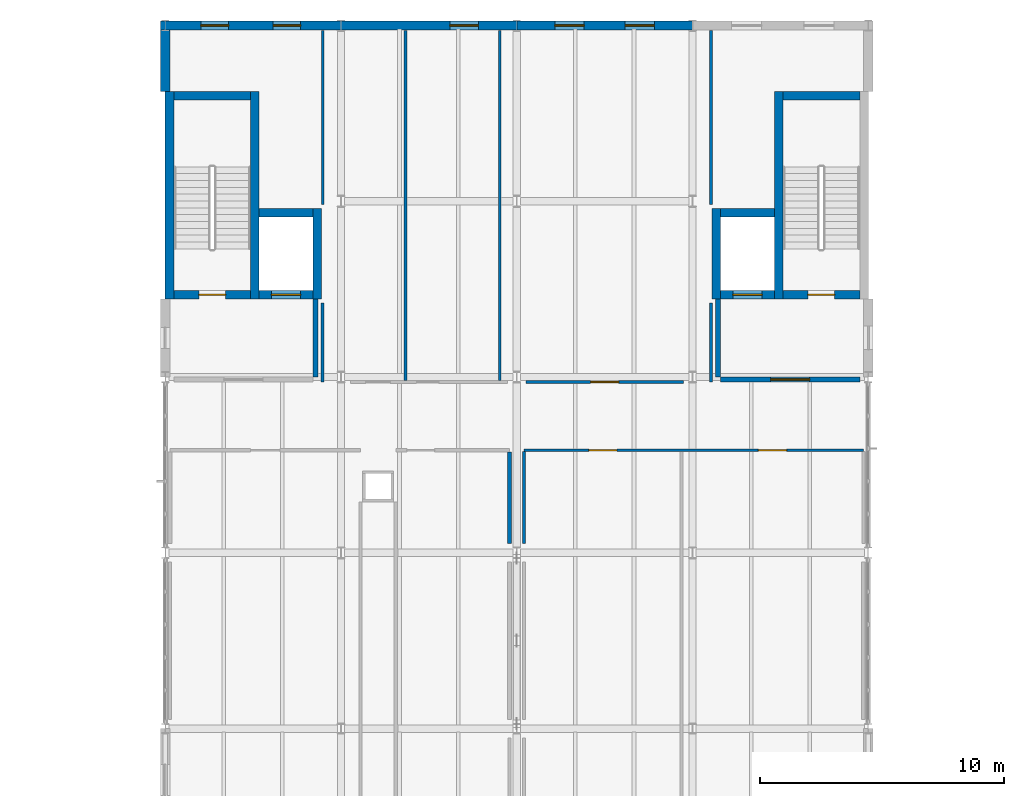
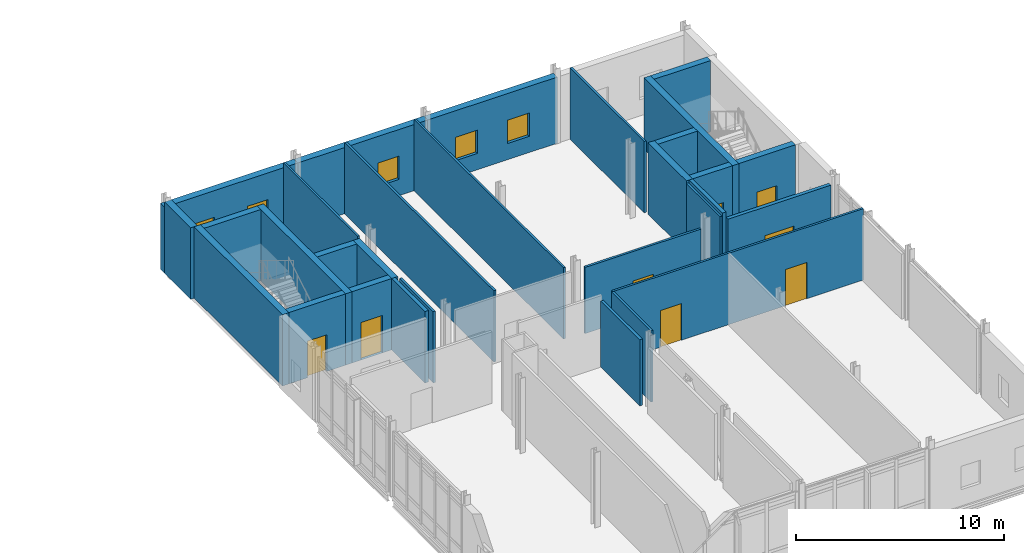
# One storey, part 61 of 76: 30 walls, 8 doors, 5 windows, 13 openings.
"""IFC4 building model written with IfcOpenShell, lengths in metres."""

from ifc_helpers import new_model, si_unit, direction, frame, frame_2d, origin, place, context, subcontext, project, spatial, rectangle, extrude, material, layer, layer_set, type_object, element, fill, save


model = new_model("IFC4")

# Units and contexts
model_context = context("Model", 3, precision=1e-05, world=origin(), true_north=direction((0.0, 1.0)))
body_context = subcontext(model_context, "Body", "Model", "MODEL_VIEW")
ifc_project = project(units=[si_unit("LENGTHUNIT", "METRE"), si_unit("AREAUNIT", "SQUARE_METRE"), si_unit("VOLUMEUNIT", "CUBIC_METRE"), si_unit("PLANEANGLEUNIT", "RADIAN"), si_unit("MASSUNIT", "GRAM", prefix="KILO")], contexts=[model_context])

# Site, building, storey
site_placement = place(None, origin())
site = spatial("IfcSite", under=ifc_project, at=site_placement, CompositionType="ELEMENT")
building_placement = place(site_placement, origin())
building = spatial("IfcBuilding", under=site, at=building_placement, Name="Zarrinpeak Specialist Clinic", CompositionType="ELEMENT")
storey_placement = place(building_placement, frame((0.0, 0.0, 5.199951171875)))
storey = spatial("IfcBuildingStorey", under=building, at=storey_placement, Name="L01", CompositionType="ELEMENT", Elevation=5.199951171875)

# Wall, opening, door
ifc_material_1 = material(Name="Concrete C40/50", Category="concrete")
ifc_layer_1 = layer(ifc_material_1, 0.35009765625)
ifc_layer_set_1 = layer_set([ifc_layer_1], Name="Concrete C40/50")
wall_type_1 = type_object("IfcWallType", Name="WL-CR350", PredefinedType="SHEAR", material=ifc_layer_set_1)
wall_1_placement = place(storey_placement, frame((36.35009765625, 106.97509765625, 0.0), z_axis=(0.0, 0.0, 1.0), x_axis=(1.0, 0.0, 0.0)))
wall_1 = element("IfcWall", 1, at=wall_1_placement, inside=storey, type_object=wall_type_1, Name="L01 Core C11 Shear Wall STS", PredefinedType="SHEAR", context=body_context, shape_type="SweptSolid", body=[
    extrude(rectangle(XDim=3.14990234375, YDim=0.35009765625, at=frame_2d((1.574951171875, 0.0))), origin(), (0.0, 0.0, 1.0), 4.18505859375),
])
opening_1_placement = place(wall_1_placement, frame((1.02490234375, 0.0, 0.0)))
opening_1 = element("IfcOpeningElement", 2, at=opening_1_placement, cuts=wall_1, Name="Opening D-S02", PredefinedType="OPENING", context=body_context, shape_type="SweptSolid", body=[
    extrude(rectangle(XDim=1.10009765625, YDim=2.14990234375, at=frame_2d((0.550048828125, 1.074951171875))), frame((0.0, 0.18505859375, 0.0), z_axis=(0.0, -1.0, 0.0), x_axis=(1.0, 0.0, 0.0)), (0.0, 0.0, 1.0), 0.3701171875),
])
ifc_material_2 = material(Name="Powder-Coated Galvanised Steel", Category="steel")
door_type_1 = type_object("IfcDoorType", Name="DR-FD110", OperationType="SINGLE_SWING_RIGHT", PredefinedType="DOOR", material=ifc_material_2)
door_1_placement = place(opening_1_placement, origin())
door_1 = element("IfcDoor", 3, at=door_1_placement, inside=storey, type_object=door_type_1, Name="L01 Protected Stair ST-11 Fire Door", OperationType="SINGLE_SWING_RIGHT", OverallHeight=2.14990234375, OverallWidth=1.10009765625, PredefinedType="DOOR", context=body_context, shape_type="SweptSolid", body=[
    extrude(rectangle(XDim=1.10009765625, YDim=2.14990234375, at=frame_2d((0.550048828125, 1.074951171875))), frame((0.0, 0.02490234375, 0.0), z_axis=(0.0, -1.0, 0.0), x_axis=(1.0, 0.0, 0.0)), (0.0, 0.0, 1.0), 0.050048828125),
])
fill(opening_1, door_1)

# Walls
wall_2_placement = place(storey_placement, frame((36.35009765625, 115.125, 0.0), z_axis=(0.0, 0.0, 1.0), x_axis=(1.0, 0.0, 0.0)))
element("IfcWall", 4, at=wall_2_placement, inside=storey, type_object=wall_type_1, Name="L01 Core C11 Shear Wall STN", PredefinedType="SHEAR", context=body_context, shape_type="SweptSolid", body=[
    extrude(rectangle(XDim=3.14990234375, YDim=0.35009765625, at=frame_2d((1.574951171875, 0.0))), origin(), (0.0, 0.0, 1.0), 4.18505859375),
])
for number, where, z_axis, x_axis, name in (
    (5, (36.175048828125, 106.800048828125, 0.0), (0.0, 0.0, 1.0), (0.0, 1.0, 0.0), "L01 Core C11 Shear Wall STW"),
    (6, (39.675048828125, 106.800048828125, 0.0), (0.0, 0.0, 1.0), (0.0, 1.0, 0.0), "L01 Core C11 Shear Wall STE"),
):
    element("IfcWall", number, at=place(storey_placement, frame(where, z_axis=z_axis, x_axis=x_axis)), inside=storey, type_object=wall_type_1, Name=name, PredefinedType="SHEAR", context=body_context, shape_type="SweptSolid", body=[
        extrude(rectangle(XDim=8.5, YDim=0.35009765625, at=frame_2d((4.25, 0.0))), origin(), (0.0, 0.0, 1.0), 4.18505859375),
    ])

# Wall, opening, door
wall_3_placement = place(storey_placement, frame((39.85009765625, 106.97509765625, 0.0), z_axis=(0.0, 0.0, 1.0), x_axis=(1.0, 0.0, 0.0)))
wall_3 = element("IfcWall", 7, at=wall_3_placement, inside=storey, type_object=wall_type_1, Name="L01 Lift LF-P1 Shaft Wall LFS", PredefinedType="SHEAR", context=body_context, shape_type="SweptSolid", body=[
    extrude(rectangle(XDim=2.199951171875, YDim=0.35009765625, at=frame_2d((1.10009765625, 0.0))), origin(), (0.0, 0.0, 1.0), 4.18505859375),
])
opening_2_placement = place(wall_3_placement, frame((0.5, 0.0, 0.0)))
opening_2 = element("IfcOpeningElement", 8, at=opening_2_placement, cuts=wall_3, Name="Opening LD-02", PredefinedType="OPENING", context=body_context, shape_type="SweptSolid", body=[
    extrude(rectangle(XDim=1.199951171875, YDim=2.199951171875, at=frame_2d((0.60009765625, 1.10009765625))), frame((0.0, 0.18505859375, 0.0), z_axis=(0.0, -1.0, 0.0), x_axis=(1.0, 0.0, 0.0)), (0.0, 0.0, 1.0), 0.3701171875),
])
door_type_2 = type_object("IfcDoorType", Name="DR-LD120", OperationType="SLIDING_TO_RIGHT", PredefinedType="DOOR", material=ifc_material_2)
door_2_placement = place(opening_2_placement, origin())
door_2 = element("IfcDoor", 9, at=door_2_placement, inside=storey, type_object=door_type_2, Name="L01 Lift LF-P1 Sliding Landing Door", OperationType="SLIDING_TO_RIGHT", OverallHeight=2.199951171875, OverallWidth=1.199951171875, PredefinedType="DOOR", context=body_context, shape_type="SweptSolid", body=[
    extrude(rectangle(XDim=1.199951171875, YDim=2.199951171875, at=frame_2d((0.60009765625, 1.10009765625))), frame((0.0, 0.02490234375, 0.0), z_axis=(0.0, -1.0, 0.0), x_axis=(1.0, 0.0, 0.0)), (0.0, 0.0, 1.0), 0.050048828125),
])
fill(opening_2, door_2)

# Walls
wall_4_placement = place(storey_placement, frame((39.85009765625, 110.324951171875, 0.0), z_axis=(0.0, 0.0, 1.0), x_axis=(1.0, 0.0, 0.0)))
element("IfcWall", 10, at=wall_4_placement, inside=storey, type_object=wall_type_1, Name="L01 Lift LF-P1 Shaft Wall LFN", PredefinedType="SHEAR", context=body_context, shape_type="SweptSolid", body=[
    extrude(rectangle(XDim=2.199951171875, YDim=0.35009765625, at=frame_2d((1.10009765625, 0.0))), origin(), (0.0, 0.0, 1.0), 4.18505859375),
])
wall_5_placement = place(storey_placement, frame((42.22509765625, 106.800048828125, 0.0), z_axis=(0.0, 0.0, 1.0), x_axis=(0.0, 1.0, 0.0)))
element("IfcWall", 11, at=wall_5_placement, inside=storey, type_object=wall_type_1, Name="L01 Lift LF-P1 Shaft Wall LFE", PredefinedType="SHEAR", context=body_context, shape_type="SweptSolid", body=[
    extrude(rectangle(XDim=3.699951171875, YDim=0.35009765625, at=frame_2d((1.85009765625, 0.0))), origin(), (0.0, 0.0, 1.0), 4.18505859375),
])

# Wall, opening, door
wall_6_placement = place(storey_placement, frame((61.300048828125, 106.97509765625, 0.0), z_axis=(0.0, 0.0, 1.0), x_axis=(1.0, 0.0, 0.0)))
wall_6 = element("IfcWall", 12, at=wall_6_placement, inside=storey, type_object=wall_type_1, Name="L01 Core C12 Shear Wall STS", PredefinedType="SHEAR", context=body_context, shape_type="SweptSolid", body=[
    extrude(rectangle(XDim=3.14990234375, YDim=0.35009765625, at=frame_2d((1.574951171875, 0.0))), origin(), (0.0, 0.0, 1.0), 4.18505859375),
])
opening_3_placement = place(wall_6_placement, frame((1.02490234375, 0.0, 0.0)))
opening_3 = element("IfcOpeningElement", 13, at=opening_3_placement, cuts=wall_6, Name="Opening D-S02", PredefinedType="OPENING", context=body_context, shape_type="SweptSolid", body=[
    extrude(rectangle(XDim=1.10009765625, YDim=2.14990234375, at=frame_2d((0.550048828125, 1.074951171875))), frame((0.0, 0.18505859375, 0.0), z_axis=(0.0, -1.0, 0.0), x_axis=(1.0, 0.0, 0.0)), (0.0, 0.0, 1.0), 0.3701171875),
])
door_3_placement = place(opening_3_placement, origin())
door_3 = element("IfcDoor", 14, at=door_3_placement, inside=storey, type_object=door_type_1, Name="L01 Protected Stair ST-12 Fire Door", OperationType="SINGLE_SWING_RIGHT", OverallHeight=2.14990234375, OverallWidth=1.10009765625, PredefinedType="DOOR", context=body_context, shape_type="SweptSolid", body=[
    extrude(rectangle(XDim=1.10009765625, YDim=2.14990234375, at=frame_2d((0.550048828125, 1.074951171875))), frame((0.0, 0.02490234375, 0.0), z_axis=(0.0, -1.0, 0.0), x_axis=(1.0, 0.0, 0.0)), (0.0, 0.0, 1.0), 0.050048828125),
])
fill(opening_3, door_3)

# Walls
wall_7_placement = place(storey_placement, frame((61.300048828125, 115.125, 0.0), z_axis=(0.0, 0.0, 1.0), x_axis=(1.0, 0.0, 0.0)))
element("IfcWall", 15, at=wall_7_placement, inside=storey, type_object=wall_type_1, Name="L01 Core C12 Shear Wall STN", PredefinedType="SHEAR", context=body_context, shape_type="SweptSolid", body=[
    extrude(rectangle(XDim=3.14990234375, YDim=0.35009765625, at=frame_2d((1.574951171875, 0.0))), origin(), (0.0, 0.0, 1.0), 4.18505859375),
])
wall_8_placement = place(storey_placement, frame((61.125, 106.800048828125, 0.0), z_axis=(0.0, 0.0, 1.0), x_axis=(0.0, 1.0, 0.0)))
element("IfcWall", 16, at=wall_8_placement, inside=storey, type_object=wall_type_1, Name="L01 Core C12 Shear Wall STW", PredefinedType="SHEAR", context=body_context, shape_type="SweptSolid", body=[
    extrude(rectangle(XDim=8.5, YDim=0.35009765625, at=frame_2d((4.25, 0.0))), origin(), (0.0, 0.0, 1.0), 4.18505859375),
])

# Wall, opening, door
wall_9_placement = place(storey_placement, frame((58.75, 106.97509765625, 0.0), z_axis=(0.0, 0.0, 1.0), x_axis=(1.0, 0.0, 0.0)))
wall_9 = element("IfcWall", 17, at=wall_9_placement, inside=storey, type_object=wall_type_1, Name="L01 Lift LF-P6 Shaft Wall LFS", PredefinedType="SHEAR", context=body_context, shape_type="SweptSolid", body=[
    extrude(rectangle(XDim=2.199951171875, YDim=0.35009765625, at=frame_2d((1.10009765625, 0.0))), origin(), (0.0, 0.0, 1.0), 4.18505859375),
])
opening_4_placement = place(wall_9_placement, frame((0.5, 0.0, 0.0)))
opening_4 = element("IfcOpeningElement", 18, at=opening_4_placement, cuts=wall_9, Name="Opening LD-02", PredefinedType="OPENING", context=body_context, shape_type="SweptSolid", body=[
    extrude(rectangle(XDim=1.199951171875, YDim=2.199951171875, at=frame_2d((0.60009765625, 1.10009765625))), frame((0.0, 0.18505859375, 0.0), z_axis=(0.0, -1.0, 0.0), x_axis=(1.0, 0.0, 0.0)), (0.0, 0.0, 1.0), 0.3701171875),
])
door_4_placement = place(opening_4_placement, origin())
door_4 = element("IfcDoor", 19, at=door_4_placement, inside=storey, type_object=door_type_2, Name="L01 Lift LF-P6 Sliding Landing Door", OperationType="SLIDING_TO_RIGHT", OverallHeight=2.199951171875, OverallWidth=1.199951171875, PredefinedType="DOOR", context=body_context, shape_type="SweptSolid", body=[
    extrude(rectangle(XDim=1.199951171875, YDim=2.199951171875, at=frame_2d((0.60009765625, 1.10009765625))), frame((0.0, 0.02490234375, 0.0), z_axis=(0.0, -1.0, 0.0), x_axis=(1.0, 0.0, 0.0)), (0.0, 0.0, 1.0), 0.050048828125),
])
fill(opening_4, door_4)

# Walls
wall_10_placement = place(storey_placement, frame((58.75, 110.324951171875, 0.0), z_axis=(0.0, 0.0, 1.0), x_axis=(1.0, 0.0, 0.0)))
element("IfcWall", 20, at=wall_10_placement, inside=storey, type_object=wall_type_1, Name="L01 Lift LF-P6 Shaft Wall LFN", PredefinedType="SHEAR", context=body_context, shape_type="SweptSolid", body=[
    extrude(rectangle(XDim=2.199951171875, YDim=0.35009765625, at=frame_2d((1.10009765625, 0.0))), origin(), (0.0, 0.0, 1.0), 4.18505859375),
])
wall_11_placement = place(storey_placement, frame((58.574951171875, 106.800048828125, 0.0), z_axis=(0.0, 0.0, 1.0), x_axis=(0.0, 1.0, 0.0)))
element("IfcWall", 21, at=wall_11_placement, inside=storey, type_object=wall_type_1, Name="L01 Lift LF-P6 Shaft Wall LFW", PredefinedType="SHEAR", context=body_context, shape_type="SweptSolid", body=[
    extrude(rectangle(XDim=3.699951171875, YDim=0.35009765625, at=frame_2d((1.85009765625, 0.0))), origin(), (0.0, 0.0, 1.0), 4.18505859375),
])

# Wall, openings, windows
ifc_material_3 = material(Name="Precast concrete C40/50", Category="concrete")
ifc_layer_2 = layer(ifc_material_3, 0.3798828125)
ifc_layer_set_2 = layer_set([ifc_layer_2], Name="Precast concrete C40/50")
wall_type_2 = type_object("IfcWallType", Name="WL-EW380", PredefinedType="STANDARD", material=ifc_layer_set_2)
wall_12_placement = place(storey_placement, frame((43.199951171875, 118.0, 0.0), z_axis=(0.0, 0.0, 1.0), x_axis=(-1.0, 0.0, 0.0)))
wall_12 = element("IfcWall", 22, at=wall_12_placement, inside=storey, type_object=wall_type_2, Name="L01 V6 Exterior GRC Wall EW-L01-V6-0279", PredefinedType="STANDARD", context=body_context, shape_type="SweptSolid", body=[
    extrude(rectangle(XDim=7.389892578125, YDim=0.3798828125, at=frame_2d((3.69482421875, 0.0))), origin(), (0.0, 0.0, 1.0), 3.880126953125),
])
opening_5_placement = place(wall_12_placement, frame((1.65087890625, 0.0, 0.949951171875)))
opening_5 = element("IfcOpeningElement", 23, at=opening_5_placement, cuts=wall_12, Name="Opening WS-48", PredefinedType="OPENING", context=body_context, shape_type="SweptSolid", body=[
    extrude(rectangle(XDim=1.132080078125, YDim=1.367919921875, at=frame_2d((0.56591796875, 0.68408203125))), frame((0.0, 0.199951171875, 0.0), z_axis=(0.0, -1.0, 0.0), x_axis=(1.0, 0.0, 0.0)), (0.0, 0.0, 1.0), 0.39990234375),
])
opening_6_placement = place(wall_12_placement, frame((4.60693359375, 0.0, 0.949951171875)))
opening_6 = element("IfcOpeningElement", 24, at=opening_6_placement, cuts=wall_12, Name="Opening WS-48", PredefinedType="OPENING", context=body_context, shape_type="SweptSolid", body=[
    extrude(rectangle(XDim=1.132080078125, YDim=1.367919921875, at=frame_2d((0.56591796875, 0.68408203125))), frame((0.0, 0.199951171875, 0.0), z_axis=(0.0, -1.0, 0.0), x_axis=(1.0, 0.0, 0.0)), (0.0, 0.0, 1.0), 0.39990234375),
])
ifc_material_4 = material(Name="Thermally Broken Aluminium and Low-E Glazing", Category="aluminium")
window_type_1 = type_object("IfcWindowType", Name="WN-SP48", PartitioningType="SINGLE_PANEL", PredefinedType="WINDOW", material=ifc_material_4)
window_1_placement = place(opening_5_placement, origin())
window_1 = element("IfcWindow", 25, at=window_1_placement, inside=storey, type_object=window_type_1, Name="L01 Modular Facade Window WN-L01-0315", OverallHeight=1.367919921875, OverallWidth=1.132080078125, PartitioningType="SINGLE_PANEL", PredefinedType="WINDOW", context=body_context, shape_type="SweptSolid", body=[
    extrude(rectangle(XDim=1.132080078125, YDim=1.367919921875, at=frame_2d((0.56591796875, 0.68408203125))), frame((0.0, 0.030029296875, 0.0), z_axis=(0.0, -1.0, 0.0), x_axis=(1.0, 0.0, 0.0)), (0.0, 0.0, 1.0), 0.06005859375),
])
fill(opening_5, window_1)
window_2_placement = place(opening_6_placement, origin())
window_2 = element("IfcWindow", 26, at=window_2_placement, inside=storey, type_object=window_type_1, Name="L01 Modular Facade Window WN-L01-0316", OverallHeight=1.367919921875, OverallWidth=1.132080078125, PartitioningType="SINGLE_PANEL", PredefinedType="WINDOW", context=body_context, shape_type="SweptSolid", body=[
    extrude(rectangle(XDim=1.132080078125, YDim=1.367919921875, at=frame_2d((0.56591796875, 0.68408203125))), frame((0.0, 0.030029296875, 0.0), z_axis=(0.0, -1.0, 0.0), x_axis=(1.0, 0.0, 0.0)), (0.0, 0.0, 1.0), 0.06005859375),
])
fill(opening_6, window_2)

# Wall, opening, window
wall_13_placement = place(storey_placement, frame((50.39990234375, 118.0, 0.0), z_axis=(0.0, 0.0, 1.0), x_axis=(-1.0, 0.0, 0.0)))
wall_13 = element("IfcWall", 27, at=wall_13_placement, inside=storey, type_object=wall_type_2, Name="L01 V6 Exterior GRC Wall EW-L01-V6-0280", PredefinedType="STANDARD", context=body_context, shape_type="SweptSolid", body=[
    extrude(rectangle(XDim=7.199951171875, YDim=0.3798828125, at=frame_2d((3.60009765625, 0.0))), origin(), (0.0, 0.0, 1.0), 3.880126953125),
])
opening_7_placement = place(wall_13_placement, frame((1.576904296875, 0.0, 0.949951171875)))
opening_7 = element("IfcOpeningElement", 28, at=opening_7_placement, cuts=wall_13, Name="Opening WS-49", PredefinedType="OPENING", context=body_context, shape_type="SweptSolid", body=[
    extrude(rectangle(XDim=1.166015625, YDim=1.367919921875, at=frame_2d((0.5830078125, 0.68408203125))), frame((0.0, 0.199951171875, 0.0), z_axis=(0.0, -1.0, 0.0), x_axis=(1.0, 0.0, 0.0)), (0.0, 0.0, 1.0), 0.39990234375),
])
window_type_2 = type_object("IfcWindowType", Name="WN-SP49", PartitioningType="SINGLE_PANEL", PredefinedType="WINDOW", material=ifc_material_4)
window_3_placement = place(opening_7_placement, origin())
window_3 = element("IfcWindow", 29, at=window_3_placement, inside=storey, type_object=window_type_2, Name="L01 Modular Facade Window WN-L01-0317", OverallHeight=1.367919921875, OverallWidth=1.166015625, PartitioningType="SINGLE_PANEL", PredefinedType="WINDOW", context=body_context, shape_type="SweptSolid", body=[
    extrude(rectangle(XDim=1.166015625, YDim=1.367919921875, at=frame_2d((0.5830078125, 0.68408203125))), frame((0.0, 0.030029296875, 0.0), z_axis=(0.0, -1.0, 0.0), x_axis=(1.0, 0.0, 0.0)), (0.0, 0.0, 1.0), 0.06005859375),
])
fill(opening_7, window_3)

# Wall, openings, windows
wall_14_placement = place(storey_placement, frame((57.60009765625, 118.0, 0.0), z_axis=(0.0, 0.0, 1.0), x_axis=(-1.0, 0.0, 0.0)))
wall_14 = element("IfcWall", 30, at=wall_14_placement, inside=storey, type_object=wall_type_2, Name="L01 V6 Exterior GRC Wall EW-L01-V6-0281", PredefinedType="STANDARD", context=body_context, shape_type="SweptSolid", body=[
    extrude(rectangle(XDim=7.2001953125, YDim=0.3798828125, at=frame_2d((3.60009765625, 0.0))), origin(), (0.0, 0.0, 1.0), 3.880126953125),
])
opening_8_placement = place(wall_14_placement, frame((1.56005859375, 0.0, 0.949951171875)))
opening_8 = element("IfcOpeningElement", 31, at=opening_8_placement, cuts=wall_14, Name="Opening WS-50", PredefinedType="OPENING", context=body_context, shape_type="SweptSolid", body=[
    extrude(rectangle(XDim=1.199951171875, YDim=1.367919921875, at=frame_2d((0.60009765625, 0.68408203125))), frame((0.0, 0.199951171875, 0.0), z_axis=(0.0, -1.0, 0.0), x_axis=(1.0, 0.0, 0.0)), (0.0, 0.0, 1.0), 0.39990234375),
])
opening_9_placement = place(wall_14_placement, frame((4.43994140625, 0.0, 0.949951171875)))
opening_9 = element("IfcOpeningElement", 32, at=opening_9_placement, cuts=wall_14, Name="Opening WS-50", PredefinedType="OPENING", context=body_context, shape_type="SweptSolid", body=[
    extrude(rectangle(XDim=1.199951171875, YDim=1.367919921875, at=frame_2d((0.60009765625, 0.68408203125))), frame((0.0, 0.199951171875, 0.0), z_axis=(0.0, -1.0, 0.0), x_axis=(1.0, 0.0, 0.0)), (0.0, 0.0, 1.0), 0.39990234375),
])
window_type_3 = type_object("IfcWindowType", Name="WN-SP50", PartitioningType="SINGLE_PANEL", PredefinedType="WINDOW", material=ifc_material_4)
window_4_placement = place(opening_8_placement, origin())
window_4 = element("IfcWindow", 33, at=window_4_placement, inside=storey, type_object=window_type_3, Name="L01 Modular Facade Window WN-L01-0318", OverallHeight=1.367919921875, OverallWidth=1.199951171875, PartitioningType="SINGLE_PANEL", PredefinedType="WINDOW", context=body_context, shape_type="SweptSolid", body=[
    extrude(rectangle(XDim=1.199951171875, YDim=1.367919921875, at=frame_2d((0.60009765625, 0.68408203125))), frame((0.0, 0.030029296875, 0.0), z_axis=(0.0, -1.0, 0.0), x_axis=(1.0, 0.0, 0.0)), (0.0, 0.0, 1.0), 0.06005859375),
])
fill(opening_8, window_4)
window_5_placement = place(opening_9_placement, origin())
window_5 = element("IfcWindow", 34, at=window_5_placement, inside=storey, type_object=window_type_3, Name="L01 Modular Facade Window WN-L01-0319", OverallHeight=1.367919921875, OverallWidth=1.199951171875, PartitioningType="SINGLE_PANEL", PredefinedType="WINDOW", context=body_context, shape_type="SweptSolid", body=[
    extrude(rectangle(XDim=1.199951171875, YDim=1.367919921875, at=frame_2d((0.60009765625, 0.68408203125))), frame((0.0, 0.030029296875, 0.0), z_axis=(0.0, -1.0, 0.0), x_axis=(1.0, 0.0, 0.0)), (0.0, 0.0, 1.0), 0.06005859375),
])
fill(opening_9, window_5)

# Walls
wall_15_placement = place(storey_placement, frame((36.0, 117.81005859375, 0.0), z_axis=(0.0, 0.0, 1.0), x_axis=(0.0, -1.0, 0.0)))
element("IfcWall", 35, at=wall_15_placement, inside=storey, type_object=wall_type_2, Name="L01 V6 Exterior GRC Wall EW-L01-V6-0285", PredefinedType="STANDARD", context=body_context, shape_type="SweptSolid", body=[
    extrude(rectangle(XDim=2.510009765625, YDim=0.3798828125, at=frame_2d((1.2548828125, 0.0))), origin(), (0.0, 0.0, 1.0), 4.18505859375),
])
ifc_material_5 = material(Name="Sanitary Service Chase Plumbing Wall", Category="gypsum")
ifc_layer_3 = layer(ifc_material_5, 0.110107421875)
ifc_layer_set_3 = layer_set([ifc_layer_3], Name="Sanitary Service Chase Plumbing Wall")
wall_type_3 = type_object("IfcWallType", Name="WL-IW110", PredefinedType="PARTITIONING", material=ifc_layer_set_3)
wall_16_placement = place(storey_placement, frame((42.449951171875, 110.675048828125, 0.0), z_axis=(0.0, 0.0, 1.0), x_axis=(0.0, 1.0, 0.0)))
element("IfcWall", 36, at=wall_16_placement, inside=storey, type_object=wall_type_3, Name="L01 Accessible Staff WC Dividing Partition", PredefinedType="PARTITIONING", context=body_context, shape_type="SweptSolid", body=[
    extrude(rectangle(XDim=7.125, YDim=0.110107421875, at=frame_2d((3.5625, 0.0))), origin(), (0.0, 0.0, 1.0), 4.18505859375),
])
wall_17_placement = place(storey_placement, frame((49.699951171875, 103.46240234375, 0.0), z_axis=(0.0, 0.0, 1.0), x_axis=(0.0, 1.0, 0.0)))
element("IfcWall", 37, at=wall_17_placement, inside=storey, type_object=wall_type_3, Name="L01 Lab Staff Washroom Dividing Partition", PredefinedType="PARTITIONING", context=body_context, shape_type="SweptSolid", body=[
    extrude(rectangle(XDim=14.337646484375, YDim=0.110107421875, at=frame_2d((7.1689453125, 0.0))), origin(), (0.0, 0.0, 1.0), 4.18505859375),
])

# Wall, openings, doors
ifc_material_6 = material(Name="Cleanroom Flush Phenolic Partition", Category="gypsum")
ifc_layer_4 = layer(ifc_material_6, 0.117919921875)
ifc_layer_set_4 = layer_set([ifc_layer_4], Name="Cleanroom Flush Phenolic Partition")
wall_type_4 = type_object("IfcWallType", Name="WL-IW118", PredefinedType="PARTITIONING", material=ifc_layer_set_4)
wall_18_placement = place(storey_placement, frame((50.699951171875, 100.60009765625, 0.0), z_axis=(0.0, 0.0, 1.0), x_axis=(1.0, 0.0, 0.0)))
wall_18 = element("IfcWall", 38, at=wall_18_placement, inside=storey, type_object=wall_type_4, Name="L01 Automated Clinical Biochemistry Lab Partition", PredefinedType="PARTITIONING", context=body_context, shape_type="SweptSolid", body=[
    extrude(rectangle(XDim=13.900146484375, YDim=0.117919921875, at=frame_2d((6.9501953125, 0.0))), origin(), (0.0, 0.0, 1.0), 4.18505859375),
])
opening_10_placement = place(wall_18_placement, frame((2.64990234375, 0.0, 0.0)))
opening_10 = element("IfcOpeningElement", 39, at=opening_10_placement, cuts=wall_18, Name="Opening D-LB1", PredefinedType="OPENING", context=body_context, shape_type="SweptSolid", body=[
    extrude(rectangle(XDim=1.14990234375, YDim=2.14990234375, at=frame_2d((0.574951171875, 1.074951171875))), frame((0.0, 0.06884765625, 0.0), z_axis=(0.0, -1.0, 0.0), x_axis=(1.0, 0.0, 0.0)), (0.0, 0.0, 1.0), 0.137939453125),
])
opening_11_placement = place(wall_18_placement, frame((9.592041015625, 0.0, 0.0)))
opening_11 = element("IfcOpeningElement", 40, at=opening_11_placement, cuts=wall_18, Name="Opening DS-51", PredefinedType="OPENING", context=body_context, shape_type="SweptSolid", body=[
    extrude(rectangle(XDim=1.166015625, YDim=2.1240234375, at=frame_2d((0.5830078125, 1.06201171875))), frame((0.0, 0.06884765625, 0.0), z_axis=(0.0, -1.0, 0.0), x_axis=(1.0, 0.0, 0.0)), (0.0, 0.0, 1.0), 0.137939453125),
])
door_type_3 = type_object("IfcDoorType", Name="DR-LAB115", OperationType="SINGLE_SWING_LEFT", PredefinedType="DOOR", material=ifc_material_2)
door_5_placement = place(opening_10_placement, origin())
door_5 = element("IfcDoor", 41, at=door_5_placement, inside=storey, type_object=door_type_3, Name="L01 Automated Clinical Biochemistry Lab Door", OperationType="SINGLE_SWING_LEFT", OverallHeight=2.14990234375, OverallWidth=1.14990234375, PredefinedType="DOOR", context=body_context, shape_type="SweptSolid", body=[
    extrude(rectangle(XDim=1.14990234375, YDim=2.14990234375, at=frame_2d((0.574951171875, 1.074951171875))), frame((0.0, 0.02490234375, 0.0), z_axis=(0.0, -1.0, 0.0), x_axis=(1.0, 0.0, 0.0)), (0.0, 0.0, 1.0), 0.050048828125),
])
fill(opening_10, door_5)
door_type_4 = type_object("IfcDoorType", Name="DR-SP51", OperationType="SINGLE_SWING_RIGHT", PredefinedType="DOOR", material=ifc_material_2)
door_6_placement = place(opening_11_placement, origin())
door_6 = element("IfcDoor", 42, at=door_6_placement, inside=storey, type_object=door_type_4, Name="L01 Specialist Consultation Room 1 Door", OperationType="SINGLE_SWING_RIGHT", OverallHeight=2.1240234375, OverallWidth=1.166015625, PredefinedType="DOOR", context=body_context, shape_type="SweptSolid", body=[
    extrude(rectangle(XDim=1.166015625, YDim=2.1240234375, at=frame_2d((0.5830078125, 1.06201171875))), frame((0.0, 0.02490234375, 0.0), z_axis=(0.0, -1.0, 0.0), x_axis=(1.0, 0.0, 0.0)), (0.0, 0.0, 1.0), 0.050048828125),
])
fill(opening_11, door_6)

# Walls
wall_19_placement = place(storey_placement, frame((50.699951171875, 96.780029296875, 0.0), z_axis=(0.0, 0.0, 1.0), x_axis=(0.0, 1.0, 0.0)))
element("IfcWall", 43, at=wall_19_placement, inside=storey, type_object=wall_type_4, Name="L01 Automated Clinical Biochemistry Lab Dividing Partition", PredefinedType="PARTITIONING", context=body_context, shape_type="SweptSolid", body=[
    extrude(rectangle(XDim=3.760986328125, YDim=0.117919921875, at=frame_2d((1.88037109375, 0.0))), origin(), (0.0, 0.0, 1.0), 4.18505859375),
])
wall_20_placement = place(storey_placement, frame((58.35009765625, 103.39990234375, 0.0), z_axis=(0.0, 0.0, 1.0), x_axis=(0.0, 1.0, 0.0)))
element("IfcWall", 44, at=wall_20_placement, inside=storey, type_object=wall_type_4, Name="L01 Haematology Coagulation Lab Dividing Partition", PredefinedType="PARTITIONING", context=body_context, shape_type="SweptSolid", body=[
    extrude(rectangle(XDim=3.22509765625, YDim=0.117919921875, at=frame_2d((1.612548828125, 0.0))), origin(), (0.0, 0.0, 1.0), 4.18505859375),
])
wall_21_placement = place(storey_placement, frame((58.35009765625, 110.675048828125, 0.0), z_axis=(0.0, 0.0, 1.0), x_axis=(0.0, 1.0, 0.0)))
element("IfcWall", 45, at=wall_21_placement, inside=storey, type_object=wall_type_4, Name="L01 Haematology Coagulation Lab Dividing Partition", PredefinedType="PARTITIONING", context=body_context, shape_type="SweptSolid", body=[
    extrude(rectangle(XDim=7.125, YDim=0.117919921875, at=frame_2d((3.5625, 0.0))), origin(), (0.0, 0.0, 1.0), 4.18505859375),
])

# Wall, opening, door
ifc_material_7 = material(Name="Moisture-Resistant Wet-Room Partition", Category="gypsum")
ifc_layer_5 = layer(ifc_material_7, 0.125)
ifc_layer_set_5 = layer_set([ifc_layer_5], Name="Moisture-Resistant Wet-Room Partition")
wall_type_5 = type_object("IfcWallType", Name="WL-IW125W", PredefinedType="PARTITIONING", material=ifc_layer_set_5)
wall_22_placement = place(storey_placement, frame((50.780029296875, 103.39990234375, 0.0), z_axis=(0.0, 0.0, 1.0), x_axis=(1.0, 0.0, 0.0)))
wall_22 = element("IfcWall", 46, at=wall_22_placement, inside=storey, type_object=wall_type_5, Name="L01 Accessible Staff WC Partition", PredefinedType="PARTITIONING", context=body_context, shape_type="SweptSolid", body=[
    extrude(rectangle(XDim=6.43994140625, YDim=0.125, at=frame_2d((3.219970703125, 0.0))), origin(), (0.0, 0.0, 1.0), 3.880126953125),
])
opening_12_placement = place(wall_22_placement, frame((2.64501953125, 0.0, 0.0)))
opening_12 = element("IfcOpeningElement", 47, at=opening_12_placement, cuts=wall_22, Name="Opening D-LB1", PredefinedType="OPENING", context=body_context, shape_type="SweptSolid", body=[
    extrude(rectangle(XDim=1.14990234375, YDim=2.14990234375, at=frame_2d((0.574951171875, 1.074951171875))), frame((0.0, 0.072509765625, 0.0), z_axis=(0.0, -1.0, 0.0), x_axis=(1.0, 0.0, 0.0)), (0.0, 0.0, 1.0), 0.14501953125),
])
door_7_placement = place(opening_12_placement, frame((1.14990234375, 0.0, 0.0), z_axis=(0.0, 0.0, 1.0), x_axis=(-1.0, 0.0, 0.0)))
door_7 = element("IfcDoor", 48, at=door_7_placement, inside=storey, type_object=door_type_3, Name="L01 Haematology Coagulation Lab Door", OperationType="SINGLE_SWING_LEFT", OverallHeight=2.14990234375, OverallWidth=1.14990234375, PredefinedType="DOOR", context=body_context, shape_type="SweptSolid", body=[
    extrude(rectangle(XDim=1.14990234375, YDim=2.14990234375, at=frame_2d((0.574951171875, 1.074951171875))), frame((0.0, 0.02490234375, 0.0), z_axis=(0.0, -1.0, 0.0), x_axis=(1.0, 0.0, 0.0)), (0.0, 0.0, 1.0), 0.050048828125),
])
fill(opening_12, door_7)

# Walls
wall_23_placement = place(storey_placement, frame((42.449951171875, 103.39990234375, 0.0), z_axis=(0.0, 0.0, 1.0), x_axis=(0.0, 1.0, 0.0)))
element("IfcWall", 49, at=wall_23_placement, inside=storey, type_object=wall_type_5, Name="L01 Accessible Staff WC Dividing Partition", PredefinedType="PARTITIONING", context=body_context, shape_type="SweptSolid", body=[
    extrude(rectangle(XDim=3.22509765625, YDim=0.125, at=frame_2d((1.612548828125, 0.0))), origin(), (0.0, 0.0, 1.0), 4.18505859375),
])
wall_24_placement = place(storey_placement, frame((45.85009765625, 103.46240234375, 0.0), z_axis=(0.0, 0.0, 1.0), x_axis=(0.0, 1.0, 0.0)))
element("IfcWall", 50, at=wall_24_placement, inside=storey, type_object=wall_type_5, Name="L01 Accessible Staff WC Dividing Partition", PredefinedType="PARTITIONING", context=body_context, shape_type="SweptSolid", body=[
    extrude(rectangle(XDim=14.337646484375, YDim=0.125, at=frame_2d((7.1689453125, 0.0))), origin(), (0.0, 0.0, 1.0), 4.18505859375),
])
ifc_material_8 = material(Name="Insulated Clinical Gypsum Stud Partition", Category="gypsum")
ifc_layer_6 = layer(ifc_material_8, 0.14990234375)
ifc_layer_set_6 = layer_set([ifc_layer_6], Name="Insulated Clinical Gypsum Stud Partition")
wall_type_6 = type_object("IfcWallType", Name="WL-IW150", PredefinedType="PARTITIONING", material=ifc_layer_set_6)
wall_25_placement = place(storey_placement, frame((50.10009765625, 96.780029296875, 0.0), z_axis=(0.0, 0.0, 1.0), x_axis=(0.0, 1.0, 0.0)))
element("IfcWall", 51, at=wall_25_placement, inside=storey, type_object=wall_type_6, Name="L01 Specimen Accessioning Hub Dividing Partition", PredefinedType="PARTITIONING", context=body_context, shape_type="SweptSolid", body=[
    extrude(rectangle(XDim=3.7490234375, YDim=0.14990234375, at=frame_2d((1.87451171875, 0.0))), origin(), (0.0, 0.0, 1.0), 3.880126953125),
])
ifc_material_9 = material(Name="Autoclaved Aerated Concrete Blockwork", Category="masonry")
ifc_layer_7 = layer(ifc_material_9, 0.199951171875)
ifc_layer_set_7 = layer_set([ifc_layer_7], Name="Autoclaved Aerated Concrete Blockwork")
wall_type_7 = type_object("IfcWallType", Name="WL-IW200", PredefinedType="PARTITIONING", material=ifc_layer_set_7)
wall_26_placement = place(storey_placement, frame((42.14990234375, 103.60009765625, 0.0), z_axis=(0.0, 0.0, 1.0), x_axis=(0.0, 1.0, 0.0)))
element("IfcWall", 52, at=wall_26_placement, inside=storey, type_object=wall_type_7, Name="L01 C11 Protected Lobby Partition LBE", PredefinedType="PARTITIONING", context=body_context, shape_type="SweptSolid", body=[
    extrude(rectangle(XDim=3.199951171875, YDim=0.199951171875, at=frame_2d((1.60009765625, 0.0))), origin(), (0.0, 0.0, 1.0), 4.18505859375),
])

# Wall, opening, door
wall_27_placement = place(storey_placement, frame((58.75, 103.5, 0.0), z_axis=(0.0, 0.0, 1.0), x_axis=(1.0, 0.0, 0.0)))
wall_27 = element("IfcWall", 53, at=wall_27_placement, inside=storey, type_object=wall_type_7, Name="L01 C12 Protected Lobby Partition LBF", PredefinedType="PARTITIONING", context=body_context, shape_type="SweptSolid", body=[
    extrude(rectangle(XDim=5.699951171875, YDim=0.199951171875, at=frame_2d((2.85009765625, 0.0))), origin(), (0.0, 0.0, 1.0), 3.880126953125),
])
opening_13_placement = place(wall_27_placement, frame((2.050048828125, 0.0, 0.0)))
opening_13 = element("IfcOpeningElement", 54, at=opening_13_placement, cuts=wall_27, Name="Opening D-L01", PredefinedType="OPENING", context=body_context, shape_type="SweptSolid", body=[
    extrude(rectangle(XDim=1.60009765625, YDim=2.199951171875, at=frame_2d((0.800048828125, 1.10009765625))), frame((0.0, 0.10986328125, 0.0), z_axis=(0.0, -1.0, 0.0), x_axis=(1.0, 0.0, 0.0)), (0.0, 0.0, 1.0), 0.219970703125),
])
door_type_5 = type_object("IfcDoorType", Name="DR-LB160", OperationType="DOUBLE_DOOR_SINGLE_SWING", PredefinedType="DOOR", material=ifc_material_2)
door_8_placement = place(opening_13_placement, origin())
door_8 = element("IfcDoor", 55, at=door_8_placement, inside=storey, type_object=door_type_5, Name="L01 C12 Lobby Hold-Open Fire Door", OperationType="DOUBLE_DOOR_SINGLE_SWING", OverallHeight=2.199951171875, OverallWidth=1.60009765625, PredefinedType="DOOR", context=body_context, shape_type="SweptSolid", body=[
    extrude(rectangle(XDim=1.60009765625, YDim=2.199951171875, at=frame_2d((0.800048828125, 1.10009765625))), frame((0.0, 0.02490234375, 0.0), z_axis=(0.0, -1.0, 0.0), x_axis=(1.0, 0.0, 0.0)), (0.0, 0.0, 1.0), 0.050048828125),
])
fill(opening_13, door_8)

# Wall
wall_28_placement = place(storey_placement, frame((58.64990234375, 103.60009765625, 0.0), z_axis=(0.0, 0.0, 1.0), x_axis=(0.0, 1.0, 0.0)))
element("IfcWall", 56, at=wall_28_placement, inside=storey, type_object=wall_type_7, Name="L01 C12 Protected Lobby Partition LBW", PredefinedType="PARTITIONING", context=body_context, shape_type="SweptSolid", body=[
    extrude(rectangle(XDim=3.199951171875, YDim=0.199951171875, at=frame_2d((1.60009765625, 0.0))), origin(), (0.0, 0.0, 1.0), 4.18505859375),
])

save(model, "model.ifc")
